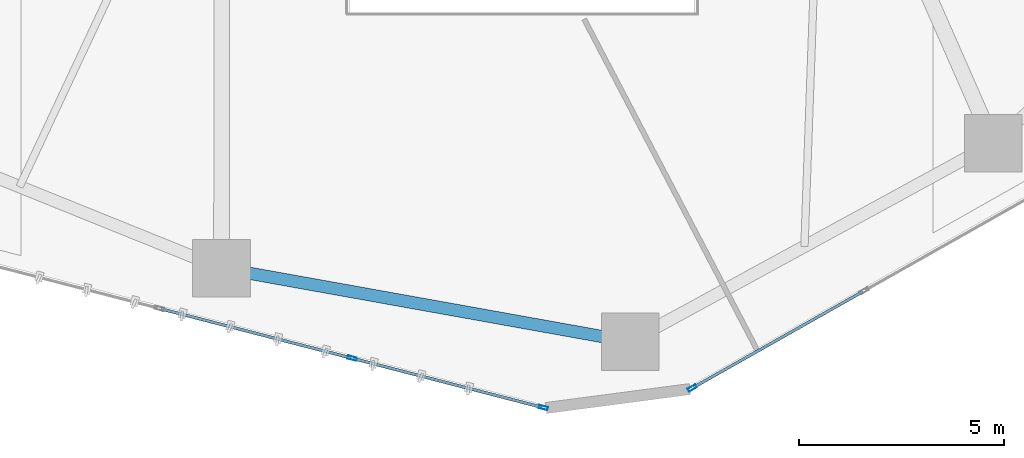
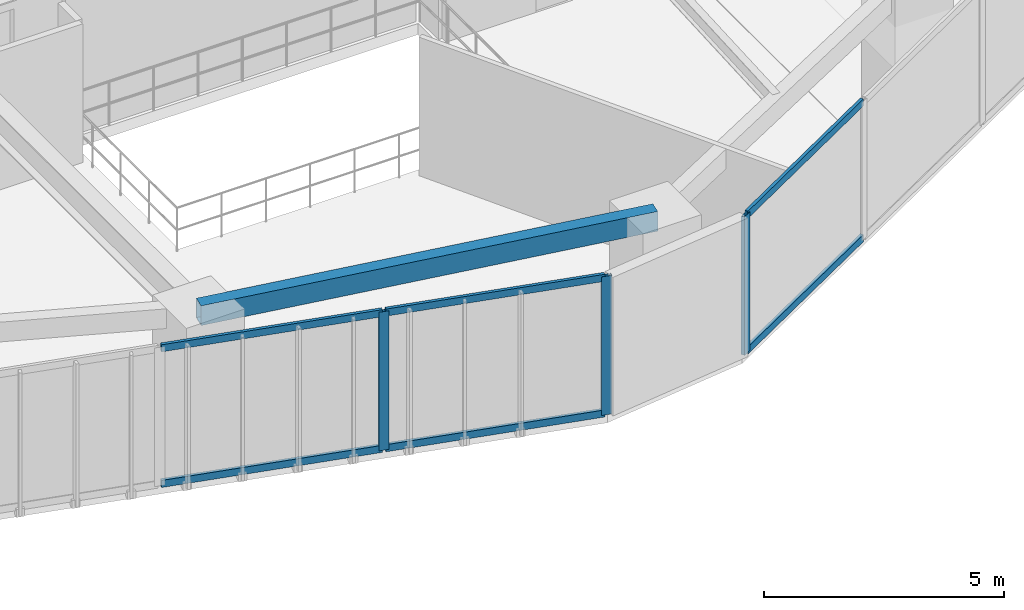
# One storey, part 4 of 23: 9 members, 1 beam, 2 elements without a shape of their own.
"""IFC4 building model written with IfcOpenShell, lengths in metres."""

from ifc_helpers import new_model, si_unit, direction, frame, origin, origin_2d, place, context, subcontext, project, spatial, hollow_rectangle, extrude, source, transform, mapped, material, layer, layer_set, material_profile, profile_set, type_object, type_shapes, element, aggregate, save


model = new_model("IFC4")

# Units and contexts
model_context = context("Model", 3, precision=1e-05, world=origin(), true_north=direction((0.0, 1.0)))
body_context = subcontext(model_context, "Body", "Model", "MODEL_VIEW")
ifc_project = project(units=[si_unit("LENGTHUNIT", "METRE"), si_unit("AREAUNIT", "SQUARE_METRE"), si_unit("VOLUMEUNIT", "CUBIC_METRE"), si_unit("PLANEANGLEUNIT", "RADIAN"), si_unit("MASSUNIT", "GRAM", prefix="KILO")], contexts=[model_context])

# Site, building, storey
site_placement = place(None, origin())
site = spatial("IfcSite", under=ifc_project, at=site_placement, CompositionType="ELEMENT")
building_placement = place(site_placement, origin())
building = spatial("IfcBuilding", under=site, at=building_placement, Name="Talar Marvaseh", CompositionType="ELEMENT")
storey_placement = place(building_placement, frame((0.0, 0.0, 46.800048828125)))
storey = spatial("IfcBuildingStorey", under=building, at=storey_placement, Name="L11", CompositionType="ELEMENT", Elevation=46.800048828125)

# Beam
ifc_material_1 = material(Name="Steel S355", Category="steel")
ifc_material_profile_1 = material_profile(ifc_material_1, hollow_rectangle(XDim=0.300048828125, YDim=0.5, WallThickness=0.02001953125, at=origin_2d()), Name="RHS500x300x20")
ifc_profile_set_1 = profile_set([ifc_material_profile_1], Name="Steel S355")
beam_type = type_object("IfcBeamType", Name="Zone 1 Perimeter Spandrel Beam RHS500x300x20", PredefinedType="SPANDREL", material=ifc_profile_set_1)
beam_placement = place(storey_placement, frame((28.625, 11.195068359375, 3.27001953125), z_axis=(-0.984279934962, 0.176615428632, 0.0), x_axis=(-0.176615428632, -0.984279934962, 0.0)))
element("IfcBeam", 1, at=beam_placement, inside=storey, type_object=beam_type, Name="L11 Zone 1 Perimeter Spandrel Beam RHS500x300x20", PredefinedType="SPANDREL", context=body_context, shape_type="SweptSolid", body=[
    extrude(hollow_rectangle(XDim=0.300048828125, YDim=0.5, WallThickness=0.02001953125, at=origin_2d()), origin(), (0.0, 0.0, 1.0), 10.1005859375),
])

# Curtain wall, member
ifc_material_2 = material(Name="Architectural Aluminium", Category="aluminium")
ifc_layer = layer(ifc_material_2, 0.219970703125)
ifc_layer_set = layer_set([ifc_layer], Name="Architectural Aluminium")
curtain_wall_type = type_object("IfcCurtainWallType", Name="Unitised Low-E Museum Curtain Wall Z1", PredefinedType="NOTDEFINED", material=ifc_layer_set)
curtain_wall_1_placement = place(storey_placement, origin())
curtain_wall_1 = element("IfcCurtainWall", 2, at=curtain_wall_1_placement, inside=storey, type_object=curtain_wall_type, Name="L11 Unitised Low-E Museum Curtain Wall Z1", PredefinedType="NOTDEFINED")
ifc_material_profile_2 = material_profile(ifc_material_2, hollow_rectangle(XDim=0.080078125, YDim=0.219970703125, WallThickness=0.0048828125, at=origin_2d()), Name="RHS220x80x5")
ifc_profile_set_2 = profile_set([ifc_material_profile_2], Name="Architectural Aluminium")
member_type_1 = type_object("IfcMemberType", Name="Unitised Curtain Wall Heavy Mullion RHS220x80x5", PredefinedType="MULLION", material=ifc_profile_set_2)
shared_shape_1 = source(origin(), body_context, "Body", "SweptSolid", [
    extrude(hollow_rectangle(XDim=0.080078125, YDim=0.219970703125, WallThickness=0.0048828125, at=origin_2d()), origin(), (0.0, 0.0, 1.0), 3.52001953125),
])
type_shapes(member_type_1, [shared_shape_1])
member_1_placement = place(storey_placement, frame((30.138671875, 10.064453125, 0.0), z_axis=(0.0, 0.0, 1.0), x_axis=(0.492290771695, -0.870430810636, 0.0)))
member_1 = element("IfcMember", 3, at=member_1_placement, type_object=member_type_1, Name="CW-Z1 mullion 6", PredefinedType="MULLION", context=body_context, shape_type="MappedRepresentation", body=[
    mapped(shared_shape_1, transform((0.0, 0.0, 0.0), x_axis=(1.0, 0.0, 0.0), y_axis=(0.0, 1.0, 0.0), z_axis=(0.0, 0.0, 1.0), scale=1.0)),
])

# Curtain wall, members
curtain_wall_2_placement = place(storey_placement, origin())
curtain_wall_2 = element("IfcCurtainWall", 4, at=curtain_wall_2_placement, inside=storey, type_object=curtain_wall_type, Name="L11 Unitised Low-E Museum Curtain Wall Z1", PredefinedType="NOTDEFINED")
member_2_placement = place(storey_placement, frame((26.514892578125, 9.58740234375, 0.0), z_axis=(0.0, 0.0, 1.0), x_axis=(-0.250227795826, -0.968186991338, 0.0)))
member_2 = element("IfcMember", 5, at=member_2_placement, type_object=member_type_1, Name="CW-Z1 mullion 1", PredefinedType="MULLION", context=body_context, shape_type="MappedRepresentation", body=[
    mapped(shared_shape_1, transform((0.0, 0.0, 0.0), x_axis=(1.0, 0.0, 0.0), y_axis=(0.0, 1.0, 0.0), z_axis=(0.0, 0.0, 1.0), scale=1.0)),
])
member_3_placement = place(storey_placement, frame((21.862548828125, 10.789794921875, 0.0), z_axis=(0.0, 0.0, 1.0), x_axis=(-0.250227795826, -0.968186991338, 0.0)))
member_3 = element("IfcMember", 6, at=member_3_placement, type_object=member_type_1, Name="CW-Z1 mullion 2", PredefinedType="MULLION", context=body_context, shape_type="MappedRepresentation", body=[
    mapped(shared_shape_1, transform((0.0, 0.0, 0.0), x_axis=(1.0, 0.0, 0.0), y_axis=(0.0, 1.0, 0.0), z_axis=(0.0, 0.0, 1.0), scale=1.0)),
])

# Member
ifc_material_profile_3 = material_profile(ifc_material_2, hollow_rectangle(XDim=0.074951171875, YDim=0.179931640625, WallThickness=0.0048828125, at=origin_2d()), Name="RHS180x75x5")
ifc_profile_set_3 = profile_set([ifc_material_profile_3], Name="Architectural Aluminium")
member_type_2 = type_object("IfcMemberType", Name="Unitised Curtain Wall Transom RHS180x75x5", PredefinedType="USERDEFINED", material=ifc_profile_set_3)
shared_shape_2 = source(origin(), body_context, "Body", "SweptSolid", [
    extrude(hollow_rectangle(XDim=0.074951171875, YDim=0.179931640625, WallThickness=0.0048828125, at=origin_2d()), origin(), (0.0, 0.0, 1.0), 4.725341796875),
])
member_4_placement = place(storey_placement, frame((34.28662109375, 12.410400390625, 0.037353515625), z_axis=(-0.870412686295, -0.492322816389, 0.0), x_axis=(0.492322816389, -0.870412686295, 0.0)))
member_4 = element("IfcMember", 7, at=member_4_placement, type_object=member_type_2, Name="CW-Z1 transom 5.1", ObjectType="TRANSOM", PredefinedType="USERDEFINED", context=body_context, shape_type="MappedRepresentation", body=[
    mapped(shared_shape_2, transform((0.0, 0.0, 0.0), x_axis=(1.0, 0.0, 0.0), y_axis=(0.0, 1.0, 0.0), z_axis=(0.0, 0.0, 1.0), scale=1.0)),
])

member_5_placement = place(storey_placement, frame((34.28662109375, 12.410400390625, 3.482421875), z_axis=(-0.870412686295, -0.492322816389, 0.0), x_axis=(0.492322816389, -0.870412686295, 0.0)))
member_5 = element("IfcMember", 8, at=member_5_placement, type_object=member_type_2, Name="CW-Z1 transom 5.2", ObjectType="TRANSOM", PredefinedType="USERDEFINED", context=body_context, shape_type="MappedRepresentation", body=[
    mapped(shared_shape_2, transform((0.0, 0.0, 0.0), x_axis=(1.0, 0.0, 0.0), y_axis=(0.0, 1.0, 0.0), z_axis=(0.0, 0.0, 1.0), scale=1.0)),
])

aggregate(curtain_wall_1, [member_1, member_4, member_5])

shared_shape_3 = source(origin(), body_context, "Body", "SweptSolid", [
    extrude(hollow_rectangle(XDim=0.074951171875, YDim=0.179931640625, WallThickness=0.0048828125, at=origin_2d()), origin(), (0.0, 0.0, 1.0), 4.765380859375),
])
member_6_placement = place(storey_placement, frame((21.82373046875, 10.7998046875, 0.037353515625), z_axis=(-0.96818929398, 0.250218886221, 0.0), x_axis=(-0.250218886221, -0.96818929398, 0.0)))
member_6 = element("IfcMember", 9, at=member_6_placement, type_object=member_type_2, Name="CW-Z1 transom 2.1", ObjectType="TRANSOM", PredefinedType="USERDEFINED", context=body_context, shape_type="MappedRepresentation", body=[
    mapped(shared_shape_3, transform((0.0, 0.0, 0.0), x_axis=(1.0, 0.0, 0.0), y_axis=(0.0, 1.0, 0.0), z_axis=(0.0, 0.0, 1.0), scale=1.0)),
])

member_7_placement = place(storey_placement, frame((21.82373046875, 10.7998046875, 3.482421875), z_axis=(-0.96818929398, 0.250218886221, 0.0), x_axis=(-0.250218886221, -0.96818929398, 0.0)))
member_7 = element("IfcMember", 10, at=member_7_placement, type_object=member_type_2, Name="CW-Z1 transom 2.2", ObjectType="TRANSOM", PredefinedType="USERDEFINED", context=body_context, shape_type="MappedRepresentation", body=[
    mapped(shared_shape_3, transform((0.0, 0.0, 0.0), x_axis=(1.0, 0.0, 0.0), y_axis=(0.0, 1.0, 0.0), z_axis=(0.0, 0.0, 1.0), scale=1.0)),
])

shared_shape_4 = source(origin(), body_context, "Body", "SweptSolid", [
    extrude(hollow_rectangle(XDim=0.074951171875, YDim=0.179931640625, WallThickness=0.0048828125, at=origin_2d()), origin(), (0.0, 0.0, 1.0), 4.7255859375),
])
type_shapes(member_type_2, [shared_shape_2, shared_shape_3, shared_shape_4])
member_8_placement = place(storey_placement, frame((26.476318359375, 9.597412109375, 0.037353515625), z_axis=(-0.968191377549, 0.250210823985, 0.0), x_axis=(-0.250210823985, -0.968191377549, 0.0)))
member_8 = element("IfcMember", 11, at=member_8_placement, type_object=member_type_2, Name="CW-Z1 transom 1.1", ObjectType="TRANSOM", PredefinedType="USERDEFINED", context=body_context, shape_type="MappedRepresentation", body=[
    mapped(shared_shape_4, transform((0.0, 0.0, 0.0), x_axis=(1.0, 0.0, 0.0), y_axis=(0.0, 1.0, 0.0), z_axis=(0.0, 0.0, 1.0), scale=1.0)),
])

member_9_placement = place(storey_placement, frame((26.476318359375, 9.597412109375, 3.482421875), z_axis=(-0.968191377549, 0.250210823985, 0.0), x_axis=(-0.250210823985, -0.968191377549, 0.0)))
member_9 = element("IfcMember", 12, at=member_9_placement, type_object=member_type_2, Name="CW-Z1 transom 1.2", ObjectType="TRANSOM", PredefinedType="USERDEFINED", context=body_context, shape_type="MappedRepresentation", body=[
    mapped(shared_shape_4, transform((0.0, 0.0, 0.0), x_axis=(1.0, 0.0, 0.0), y_axis=(0.0, 1.0, 0.0), z_axis=(0.0, 0.0, 1.0), scale=1.0)),
])

aggregate(curtain_wall_2, [member_2, member_3, member_8, member_9, member_6, member_7])

save(model, "model.ifc")
